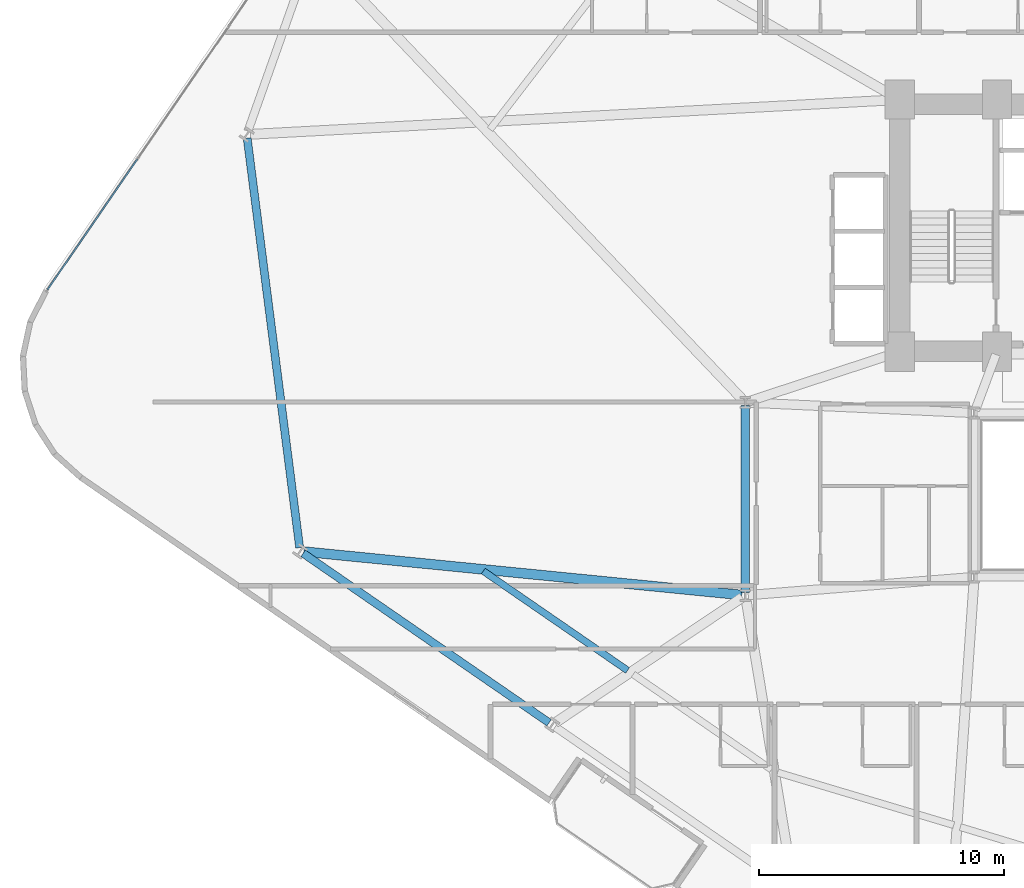
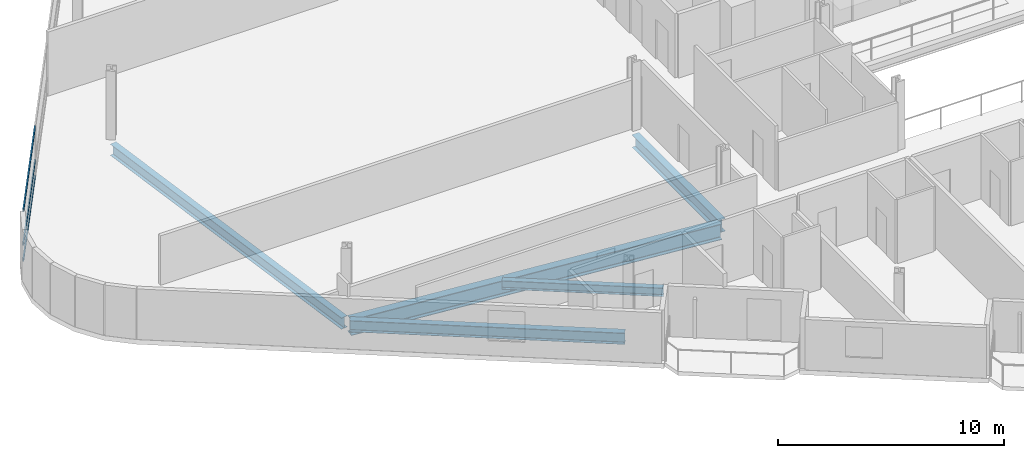
# One storey, part 3 of 25: 5 beams, 3 members, 1 element without a shape of its own.
"""IFC4 building model written with IfcOpenShell, lengths in metres."""

from ifc_helpers import new_model, si_unit, direction, frame, origin, origin_2d, place, context, subcontext, project, spatial, hollow_rectangle, i_section, extrude, material, layer, layer_set, material_profile, profile_set, type_object, element, aggregate, save


model = new_model("IFC4")

# Units and contexts
model_context = context("Model", 3, precision=1e-05, world=origin(), true_north=direction((0.0, 1.0)))
body_context = subcontext(model_context, "Body", "Model", "MODEL_VIEW")
ifc_project = project(units=[si_unit("LENGTHUNIT", "METRE"), si_unit("AREAUNIT", "SQUARE_METRE"), si_unit("VOLUMEUNIT", "CUBIC_METRE"), si_unit("PLANEANGLEUNIT", "RADIAN"), si_unit("MASSUNIT", "GRAM", prefix="KILO")], contexts=[model_context])

# Site, building, storey
site_placement = place(None, origin())
site = spatial("IfcSite", under=ifc_project, at=site_placement, CompositionType="ELEMENT")
building_placement = place(site_placement, origin())
building = spatial("IfcBuilding", under=site, at=building_placement, Name="Varnelok Gate Tower", CompositionType="ELEMENT")
storey_placement = place(building_placement, frame((0.0, 0.0, 64.0)))
storey = spatial("IfcBuildingStorey", under=building, at=storey_placement, Name="L15", CompositionType="ELEMENT", Elevation=64.0)

# Beams
ifc_material_1 = material(Name="Structural Steel ASTM A992 Grade 50", Category="steel")
ifc_material_profile_1 = material_profile(ifc_material_1, i_section(OverallWidth=0.280029296875, OverallDepth=0.462890625, WebThickness=0.0107421875, FlangeThickness=0.017333984375, FilletRadius=0.014892578125, at=origin_2d()), Name="W18X76")
ifc_profile_set_1 = profile_set([ifc_material_profile_1], Name="Structural Steel ASTM A992 Grade 50")
beam_type_1 = type_object("IfcBeamType", Name="BM-JST-W18X76", PredefinedType="JOIST", material=ifc_profile_set_1)
beam_1_placement = place(storey_placement, frame((13.69482421875, 19.793212890625, -0.4814453125), z_axis=(0.823532034116, -0.567269767205, 0.0), x_axis=(0.567269767205, 0.823532034116, 0.0)))
element("IfcBeam", 1, at=beam_1_placement, inside=storey, type_object=beam_type_1, Name="L15 Sector Floor Joist 1", PredefinedType="JOIST", context=body_context, shape_type="SweptSolid", body=[
    extrude(i_section(OverallWidth=0.280029296875, OverallDepth=0.462890625, WebThickness=0.0107421875, FlangeThickness=0.017333984375, FilletRadius=0.014892578125, at=origin_2d()), origin(), (0.0, 0.0, 1.0), 7.15771484375),
])
ifc_material_profile_2 = material_profile(ifc_material_1, i_section(OverallWidth=0.35498046875, OverallDepth=0.696044921875, WebThickness=0.015380859375, FlangeThickness=0.02490234375, FilletRadius=0.02001953125, at=origin_2d()), Name="W27X146")
ifc_profile_set_2 = profile_set([ifc_material_profile_2], Name="Structural Steel ASTM A992 Grade 50")
beam_type_2 = type_object("IfcBeamType", Name="BM-PRI-W27X146", PredefinedType="BEAM", material=ifc_profile_set_2)
beam_2_placement = place(storey_placement, frame((24.39990234375, 18.919921875, -0.597900390625), z_axis=(0.0, 1.0, 0.0), x_axis=(-1.0, 0.0, 0.0)))
element("IfcBeam", 2, at=beam_2_placement, inside=storey, type_object=beam_type_2, Name="L15 Core-Atrium Spine Beam 16", PredefinedType="BEAM", context=body_context, shape_type="SweptSolid", body=[
    extrude(i_section(OverallWidth=0.35498046875, OverallDepth=0.696044921875, WebThickness=0.015380859375, FlangeThickness=0.02490234375, FilletRadius=0.02001953125, at=origin_2d()), origin(), (0.0, 0.0, 1.0), 7.64013671875),
])
ifc_material_profile_3 = material_profile(ifc_material_1, i_section(OverallWidth=0.39892578125, OverallDepth=0.85498046875, WebThickness=0.018310546875, FlangeThickness=0.029296875, FilletRadius=0.02392578125, at=origin_2d()), Name="W33X201")
ifc_profile_set_3 = profile_set([ifc_material_profile_3], Name="Structural Steel ASTM A992 Grade 50")
beam_type_3 = type_object("IfcBeamType", Name="BM-PRI-W33X201", PredefinedType="BEAM", material=ifc_profile_set_3)
beam_3_placement = place(storey_placement, frame((24.250732421875, 18.814697265625, -0.677490234375), z_axis=(-0.995122218733, 0.098649732815, 0.0), x_axis=(-0.098649732815, -0.995122218733, 0.0)))
element("IfcBeam", 3, at=beam_3_placement, inside=storey, type_object=beam_type_3, Name="L15 Radial Floor Girder 1", PredefinedType="BEAM", context=body_context, shape_type="SweptSolid", body=[
    extrude(i_section(OverallWidth=0.39892578125, OverallDepth=0.85498046875, WebThickness=0.018310546875, FlangeThickness=0.029296875, FilletRadius=0.02392578125, at=origin_2d()), origin(), (0.0, 0.0, 1.0), 17.974609375),
])
ifc_material_profile_4 = material_profile(ifc_material_1, i_section(OverallWidth=0.323974609375, OverallDepth=0.611083984375, WebThickness=0.0126953125, FlangeThickness=0.01904296875, FilletRadius=0.01806640625, at=origin_2d()), Name="W24X104")
ifc_profile_set_4 = profile_set([ifc_material_profile_4], Name="Structural Steel ASTM A992 Grade 50")
beam_type_4 = type_object("IfcBeamType", Name="BM-SPN-W24X104", PredefinedType="SPANDREL", material=ifc_profile_set_4)
beam_4_placement = place(storey_placement, frame((6.337890625, 20.517578125, -0.555419921875), z_axis=(0.823540632156, -0.567257284826, 0.0), x_axis=(0.567257284826, 0.823540632156, 0.0)))
element("IfcBeam", 4, at=beam_4_placement, inside=storey, type_object=beam_type_4, Name="L15 Perimeter Spandrel Beam 1", PredefinedType="SPANDREL", context=body_context, shape_type="SweptSolid", body=[
    extrude(i_section(OverallWidth=0.323974609375, OverallDepth=0.611083984375, WebThickness=0.0126953125, FlangeThickness=0.01904296875, FilletRadius=0.01806640625, at=origin_2d()), origin(), (0.0, 0.0, 1.0), 12.2001953125),
])
beam_5_placement = place(storey_placement, frame((4.05224609375, 37.47509765625, -0.555419921875), z_axis=(0.127106601297, -0.991889062298, 0.0), x_axis=(0.991889062298, 0.127106601297, 0.0)))
element("IfcBeam", 5, at=beam_5_placement, inside=storey, type_object=beam_type_4, Name="L15 Perimeter Spandrel Beam 16", PredefinedType="SPANDREL", context=body_context, shape_type="SweptSolid", body=[
    extrude(i_section(OverallWidth=0.323974609375, OverallDepth=0.611083984375, WebThickness=0.0126953125, FlangeThickness=0.01904296875, FilletRadius=0.01806640625, at=origin_2d()), origin(), (0.0, 0.0, 1.0), 16.8603515625),
])

# Curtain wall, members
ifc_material_2 = material(Name="Anodized Aluminum Alloy 6063-T6", Category="aluminium")
ifc_layer = layer(ifc_material_2, 0.179931640625)
ifc_layer_set = layer_set([ifc_layer], Name="Anodized Aluminum Alloy 6063-T6")
curtain_wall_type = type_object("IfcCurtainWallType", Name="CW3-HOTEL-VISION", PredefinedType="USERDEFINED", material=ifc_layer_set)
curtain_wall_placement = place(storey_placement, origin())
curtain_wall = element("IfcCurtainWall", 6, at=curtain_wall_placement, inside=storey, type_object=curtain_wall_type, Name="L15 West End Vision Curtain Wall", ObjectType="UNITISED CURTAIN WALL", PredefinedType="USERDEFINED")
ifc_material_profile_5 = material_profile(ifc_material_2, hollow_rectangle(XDim=0.06494140625, YDim=0.159912109375, WallThickness=0.00390625, at=origin_2d()), Name="ALU160X65X4")
ifc_profile_set_5 = profile_set([ifc_material_profile_5], Name="Anodized Aluminum Alloy 6063-T6")
member_type = type_object("IfcMemberType", Name="CW-TRAN-160", PredefinedType="USERDEFINED", material=ifc_profile_set_5)
member_1_placement = place(storey_placement, frame((-4.10546875, 31.287353515625, 0.032470703125), z_axis=(0.567255754851, 0.823541686006, 0.0), x_axis=(-0.823541686006, 0.567255754851, 0.0)))
member_1 = element("IfcMember", 7, at=member_1_placement, type_object=member_type, Name="CW3 transom 1.1", ObjectType="TRANSOM", PredefinedType="USERDEFINED", context=body_context, shape_type="SweptSolid", body=[
    extrude(hollow_rectangle(XDim=0.06494140625, YDim=0.159912109375, WallThickness=0.00390625, at=origin_2d()), origin(), (0.0, 0.0, 1.0), 6.46923828125),
])
member_2_placement = place(storey_placement, frame((-4.10546875, 31.287353515625, 0.89990234375), z_axis=(0.567255754851, 0.823541686006, 0.0), x_axis=(-0.823541686006, 0.567255754851, 0.0)))
member_2 = element("IfcMember", 8, at=member_2_placement, type_object=member_type, Name="CW3 transom 1.2", ObjectType="TRANSOM", PredefinedType="USERDEFINED", context=body_context, shape_type="SweptSolid", body=[
    extrude(hollow_rectangle(XDim=0.06494140625, YDim=0.159912109375, WallThickness=0.00390625, at=origin_2d()), origin(), (0.0, 0.0, 1.0), 6.46923828125),
])
member_3_placement = place(storey_placement, frame((-4.10546875, 31.287353515625, 2.697509765625), z_axis=(0.567255754851, 0.823541686006, 0.0), x_axis=(-0.823541686006, 0.567255754851, 0.0)))
member_3 = element("IfcMember", 9, at=member_3_placement, type_object=member_type, Name="CW3 transom 1.3", ObjectType="TRANSOM", PredefinedType="USERDEFINED", context=body_context, shape_type="SweptSolid", body=[
    extrude(hollow_rectangle(XDim=0.06494140625, YDim=0.159912109375, WallThickness=0.00390625, at=origin_2d()), origin(), (0.0, 0.0, 1.0), 6.46923828125),
])
aggregate(curtain_wall, [member_1, member_2, member_3])

save(model, "model.ifc")
